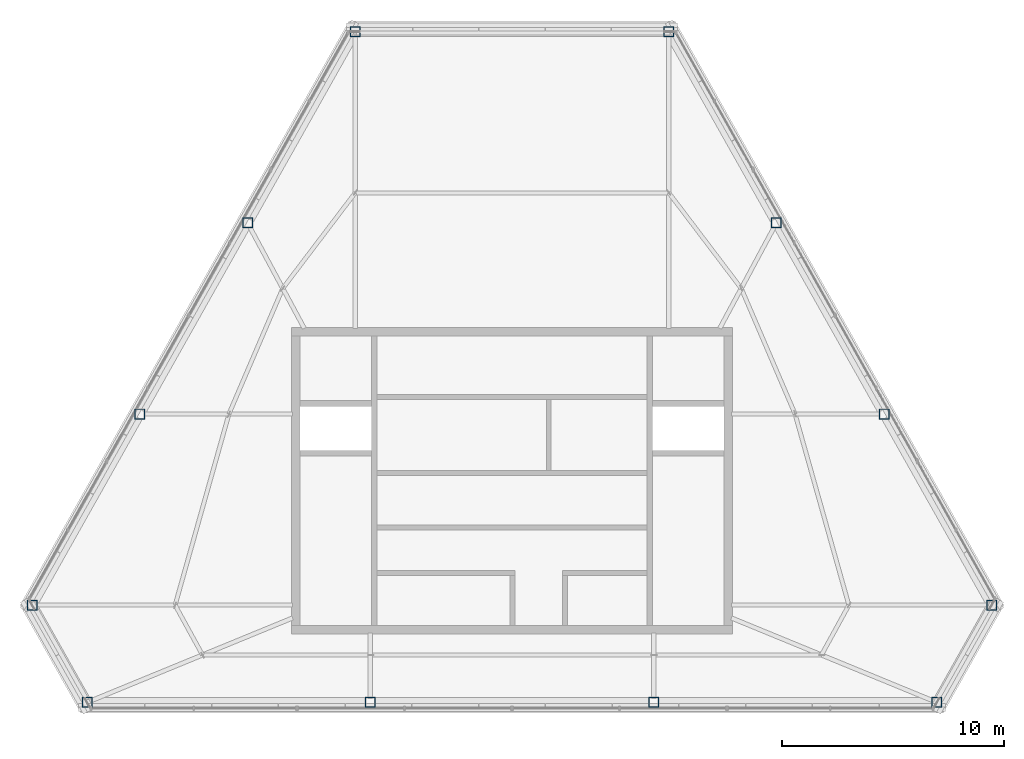
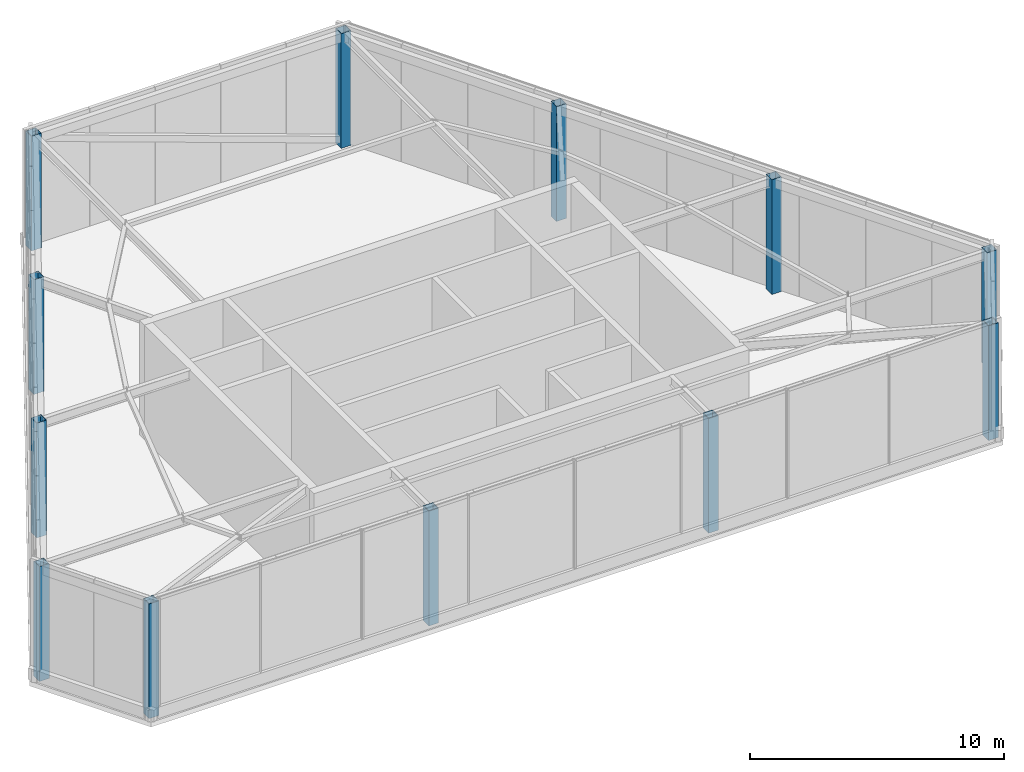
# One storey, part 1 of 12: 12 columns.
"""IFC4 building model written with IfcOpenShell, lengths in metres."""

import ifcopenshell
import ifcopenshell.guid

model = None  # the IFC model being written
_history = None  # IfcOwnerHistory: only IFC2X3 demands one
_inside = {}  # id of a spatial element -> (the spatial element, [elements in it])
_under = {}  # id of a project, library or spatial element -> (it, [spatial elements below it])
_declared = {}  # id of a project -> (the project, [libraries it declares])
_typed = {}  # id of a type object -> (the type object, [elements of that type])
_made_of = {}  # id of a material, layer set ... -> (it, [elements and type objects made of it])


def new_model(schema):
    """Start an empty IFC model of exactly this schema.

    Asked for "IFC4X3", IfcOpenShell would pick the latest addendum, in which some entities
    have other attributes; the version numbers below select the first issue.
    IFC2X3 requires an IfcOwnerHistory on every rooted entity: one is made here for all.
    """
    global model, _history
    if schema == "IFC4X3":
        model = ifcopenshell.file(schema_version=(4, 3, 0, 0))
    else:
        model = ifcopenshell.file(schema=schema)
    _inside.clear()
    _under.clear()
    _declared.clear()
    _typed.clear()
    _made_of.clear()
    _history = None
    if model.schema == "IFC2X3":
        org = make("IfcOrganization", Name="unknown")
        user = make(
            "IfcPersonAndOrganization",
            ThePerson=make("IfcPerson", FamilyName="unknown"),
            TheOrganization=org,
        )
        app = make(
            "IfcApplication",
            ApplicationDeveloper=org,
            Version="unknown",
            ApplicationFullName="unknown",
            ApplicationIdentifier="unknown",
        )
        _history = make(
            "IfcOwnerHistory",
            OwningUser=user,
            OwningApplication=app,
            ChangeAction="ADDED",
            CreationDate=0,
        )
    return model


def make(cls, **values):
    """One entity of the class cls with the attributes given. An attribute that is None is left unset."""
    return model.create_entity(
        cls, **{name: value for name, value in values.items() if value is not None}
    )


def rooted(cls, **values):
    """An entity with a GlobalId (a new one), such as an element, a storey or a relation."""
    return make(cls, GlobalId=ifcopenshell.guid.new(), OwnerHistory=_history, **values)


def si_unit(unit_type, name, prefix=None):
    """IfcSIUnit, for example si_unit("LENGTHUNIT", "METRE", prefix="MILLI")."""
    return make("IfcSIUnit", UnitType=unit_type, Prefix=prefix, Name=name)


def assignment(units):
    """IfcUnitAssignment: the units of a project."""
    return None if units is None else make("IfcUnitAssignment", Units=units)


def point(xyz):
    """IfcCartesianPoint."""
    return None if xyz is None else make("IfcCartesianPoint", Coordinates=xyz)


def direction(xyz):
    """IfcDirection."""
    return None if xyz is None else make("IfcDirection", DirectionRatios=xyz)


def frame(location, z_axis=None, x_axis=None):
    """IfcAxis2Placement3D, a coordinate frame: its origin and axes. An axis left out is left unset."""
    return make(
        "IfcAxis2Placement3D",
        Location=point(location),
        Axis=direction(z_axis),
        RefDirection=direction(x_axis),
    )


def frame_2d(location, x_axis=None):
    """IfcAxis2Placement2D, a coordinate frame in the plane: its origin and x axis."""
    return make(
        "IfcAxis2Placement2D", Location=point(location), RefDirection=direction(x_axis)
    )


def origin():
    """The frame at (0, 0, 0) with its axes left unset."""
    return frame((0.0, 0.0, 0.0))


def origin_2d():
    """The frame at (0, 0) in the plane with its x axis left unset."""
    return frame_2d((0.0, 0.0))


def place(relative_to, where):
    """IfcLocalPlacement: puts the frame where relative to a parent placement (None: the world)."""
    return make(
        "IfcLocalPlacement", PlacementRelTo=relative_to, RelativePlacement=where
    )


def context(
    kind, dimensions, precision=None, world=None, true_north=None, identifier=None
):
    """IfcGeometricRepresentationContext, for example the 3D "Model" context."""
    return make(
        "IfcGeometricRepresentationContext",
        ContextIdentifier=identifier,
        ContextType=kind,
        CoordinateSpaceDimension=dimensions,
        Precision=precision,
        WorldCoordinateSystem=world,
        TrueNorth=true_north,
    )


def subcontext(parent, identifier, kind, view, scale=None):
    """IfcGeometricRepresentationSubContext, for example "Body" below "Model"."""
    return make(
        "IfcGeometricRepresentationSubContext",
        ContextIdentifier=identifier,
        ContextType=kind,
        ParentContext=parent,
        TargetScale=scale,
        TargetView=view,
    )


def project(units=None, contexts=None):
    """IfcProject with its units and contexts."""
    return rooted(
        "IfcProject",
        Name="project",
        RepresentationContexts=contexts,
        UnitsInContext=assignment(units),
    )


def spatial(cls, under=None, at=None, **own):
    """A site, building, storey or space (cls), placed at a placement, below another one or the project."""
    s = rooted(cls, ObjectPlacement=at, **own)
    if under is not None:
        _under.setdefault(under.id(), (under, []))[1].append(s)
    return s


def profile(cls, at=None, kind="AREA", **sizes):
    """A parametric profile (cls). Its sizes go by their IFC names, for example OverallWidth=200.0."""
    return make(cls, ProfileType=kind, Position=at, **sizes)


def hollow_rectangle(**sizes):
    """IfcRectangleHollowProfileDef."""
    return profile("IfcRectangleHollowProfileDef", **sizes)


def extrude(swept, where, along, depth):
    """IfcExtrudedAreaSolid: the profile swept, set in the frame where, extruded along a direction by depth."""
    return make(
        "IfcExtrudedAreaSolid",
        SweptArea=swept,
        Position=where,
        ExtrudedDirection=direction(along),
        Depth=depth,
    )


def shape(context_of_items, identifier, shape_type, items):
    """IfcShapeRepresentation: the items that make up one representation, for example the "Body"."""
    return make(
        "IfcShapeRepresentation",
        ContextOfItems=context_of_items,
        RepresentationIdentifier=identifier,
        RepresentationType=shape_type,
        Items=items,
    )


def material(Name=None, Category=None):
    """IfcMaterial."""
    return make("IfcMaterial", Name=Name, Category=Category)


def material_profile(
    of_material, cross_section, Name=None, Category=None, Priority=None
):
    """IfcMaterialProfile: a cross section and its material."""
    return make(
        "IfcMaterialProfile",
        Name=Name,
        Material=of_material,
        Profile=cross_section,
        Priority=Priority,
        Category=Category,
    )


def profile_set(profiles, Name=None, composite=None):
    """IfcMaterialProfileSet."""
    return make(
        "IfcMaterialProfileSet",
        Name=Name,
        MaterialProfiles=profiles,
        CompositeProfile=composite,
    )


def made_of(thing, what):
    """Note that an element or type object is made of a material, layer set ...; save() writes the relation."""
    if what is not None:
        _made_of.setdefault(what.id(), (what, []))[1].append(thing)
    return thing


def type_object(cls, material=None, **own):
    """A type object (cls), such as IfcWallType, which elements share."""
    return made_of(rooted(cls, **own), material)


def element(
    cls,
    number,
    at=None,
    inside=None,
    cuts=None,
    type_object=None,
    material=None,
    context=None,
    identifier="Body",
    shape_type=None,
    held_by="IfcProductDefinitionShape",
    body=None,
    shapes=None,
    **own,
):
    """One element of the class cls, such as IfcWall. Its Tag is "e" and its number.

    at: its placement. inside: the storey or other place that contains it. cuts: it is an
    opening in that element (IfcRelVoidsElement). A single representation is given by context,
    identifier, shape_type and body (its items); several are given by shapes. held_by: the class
    of the entity that holds the representations. save() writes the other relations.
    """
    e = rooted(cls, Tag="e%d" % number, ObjectPlacement=at, **own)
    if body is not None:
        shapes = [shape(context, identifier, shape_type, body)]
    if shapes is not None:
        e.Representation = make(held_by, Representations=shapes)
    if inside is not None:
        _inside.setdefault(inside.id(), (inside, []))[1].append(e)
    if cuts is not None:
        rooted(
            "IfcRelVoidsElement", RelatingBuildingElement=cuts, RelatedOpeningElement=e
        )
    if type_object is not None:
        _typed.setdefault(type_object.id(), (type_object, []))[1].append(e)
    return made_of(e, material)


def aggregate(whole, parts):
    """IfcRelAggregates: a whole, such as a stair, and the parts it consists of."""
    return rooted("IfcRelAggregates", RelatingObject=whole, RelatedObjects=parts)


def save(model, path):
    """Write the relations noted so far, then the file.

    IfcRelAggregates (storeys below a building ...), IfcRelContainedInSpatialStructure (elements
    in a storey), IfcRelDefinesByType, IfcRelAssociatesMaterial and IfcRelDeclares: one each for
    every whole, place, type object, material and project.
    """
    for whole, parts in _under.values():
        aggregate(whole, parts)
    for where, things in _inside.values():
        rooted(
            "IfcRelContainedInSpatialStructure",
            RelatedElements=things,
            RelatingStructure=where,
        )
    for kind, things in _typed.values():
        rooted("IfcRelDefinesByType", RelatedObjects=things, RelatingType=kind)
    for what, things in _made_of.values():
        rooted("IfcRelAssociatesMaterial", RelatedObjects=things, RelatingMaterial=what)
    for by, libraries in _declared.values():
        rooted("IfcRelDeclares", RelatingContext=by, RelatedDefinitions=libraries)
    model.write(path)


model = new_model("IFC4")

# Units and contexts
model_context = context("Model", 3, precision=1e-05, world=origin(), true_north=direction((0.0, 1.0)))
body_context = subcontext(model_context, "Body", "Model", "MODEL_VIEW")
ifc_project = project(units=[si_unit("LENGTHUNIT", "METRE"), si_unit("AREAUNIT", "SQUARE_METRE"), si_unit("VOLUMEUNIT", "CUBIC_METRE"), si_unit("PLANEANGLEUNIT", "RADIAN"), si_unit("MASSUNIT", "GRAM", prefix="KILO")], contexts=[model_context])

# Site, building, storey
site_placement = place(None, origin())
site = spatial("IfcSite", under=ifc_project, at=site_placement, CompositionType="ELEMENT")
building_placement = place(site_placement, origin())
building = spatial("IfcBuilding", under=site, at=building_placement, Name="Kavelnor Concourse Tower", CompositionType="ELEMENT")
storey_placement = place(building_placement, frame((0.0, 0.0, 315.699951171875)))
storey = spatial("IfcBuildingStorey", under=building, at=storey_placement, Name="L79", CompositionType="ELEMENT", Elevation=315.699951171875)

# Columns
ifc_material = material(Name="Steel Grade 350", Category="steel")
ifc_material_profile = material_profile(ifc_material, hollow_rectangle(XDim=0.449951171875, YDim=0.449951171875, WallThickness=0.02197265625, at=origin_2d()), Name="SHS 450x450x22")
ifc_profile_set = profile_set([ifc_material_profile], Name="Steel Grade 350")
column_type = type_object("IfcColumnType", Name="COL-CROWN-FRAME", PredefinedType="USERDEFINED", material=ifc_profile_set)
for number, where, z_axis, x_axis, name in (
    (1, (30.950927734375, 36.276123046875, 0.0), (0.0, 0.0, 1.0), (1.0, 0.0, 0.0), "L79 Crown Frame Post F0B0"),
    (2, (26.11328125, 27.6865234375, 0.0), (0.0, 0.0, 1.0), (1.0, 0.0, 0.0), "L79 Crown Frame Post F0B2"),
    (3, (21.275390625, 19.09716796875, 0.0), (0.0, 0.0, 1.0), (1.0, 0.0, 0.0), "L79 Crown Frame Post F0B4"),
    (4, (16.437744140625, 10.507568359375, 0.0), (0.0, 0.0, 1.0), (1.0, 0.0, 0.0), "L79 Crown Frame Post F0B6"),
    (5, (18.900390625, 6.135009765625, 0.0), (0.0, 0.0, 1.0), (1.0, 0.0, 0.0), "L79 Crown Frame Post F1B0"),
    (6, (31.633544921875, 6.135009765625, 0.0), (0.0, 0.0, 1.0), (1.0, 0.0, 0.0), "L79 Crown Frame Post F1B2"),
    (7, (44.366455078125, 6.135009765625, 0.0), (0.0, 0.0, 1.0), (1.0, 0.0, 0.0), "L79 Crown Frame Post F1B4"),
    (8, (57.099609375, 6.135009765625, 0.0), (0.0, 0.0, 1.0), (1.0, 0.0, 0.0), "L79 Crown Frame Post F1B6"),
    (9, (59.562255859375, 10.507568359375, 0.0), (0.0, 0.0, 1.0), (1.0, 0.0, 0.0), "L79 Crown Frame Post F2B0"),
    (10, (54.724609375, 19.09716796875, 0.0), (0.0, 0.0, 1.0), (1.0, 0.0, 0.0), "L79 Crown Frame Post F2B2"),
    (11, (49.88671875, 27.6865234375, 0.0), (0.0, 0.0, 1.0), (1.0, 0.0, 0.0), "L79 Crown Frame Post F2B4"),
    (12, (45.049072265625, 36.276123046875, 0.0), (0.0, 0.0, 1.0), (1.0, 0.0, 0.0), "L79 Crown Frame Post F2B6"),
):
    element("IfcColumn", number, at=place(storey_placement, frame(where, z_axis=z_axis, x_axis=x_axis)), inside=storey, type_object=column_type, Name=name, ObjectType="CROWN FRAME", PredefinedType="USERDEFINED", context=body_context, shape_type="SweptSolid", body=[
        extrude(hollow_rectangle(XDim=0.449951171875, YDim=0.449951171875, WallThickness=0.02197265625, at=origin_2d()), origin(), (0.0, 0.0, 1.0), 5.52001953125),
    ])

save(model, "model.ifc")
